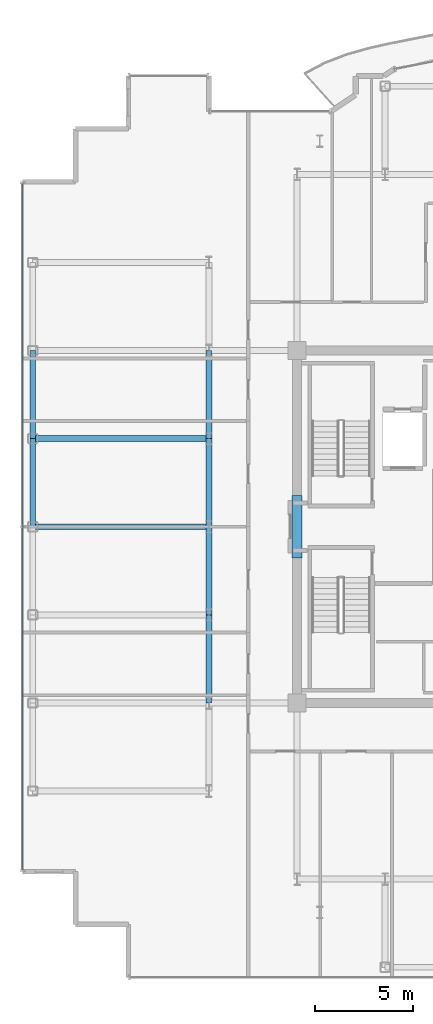
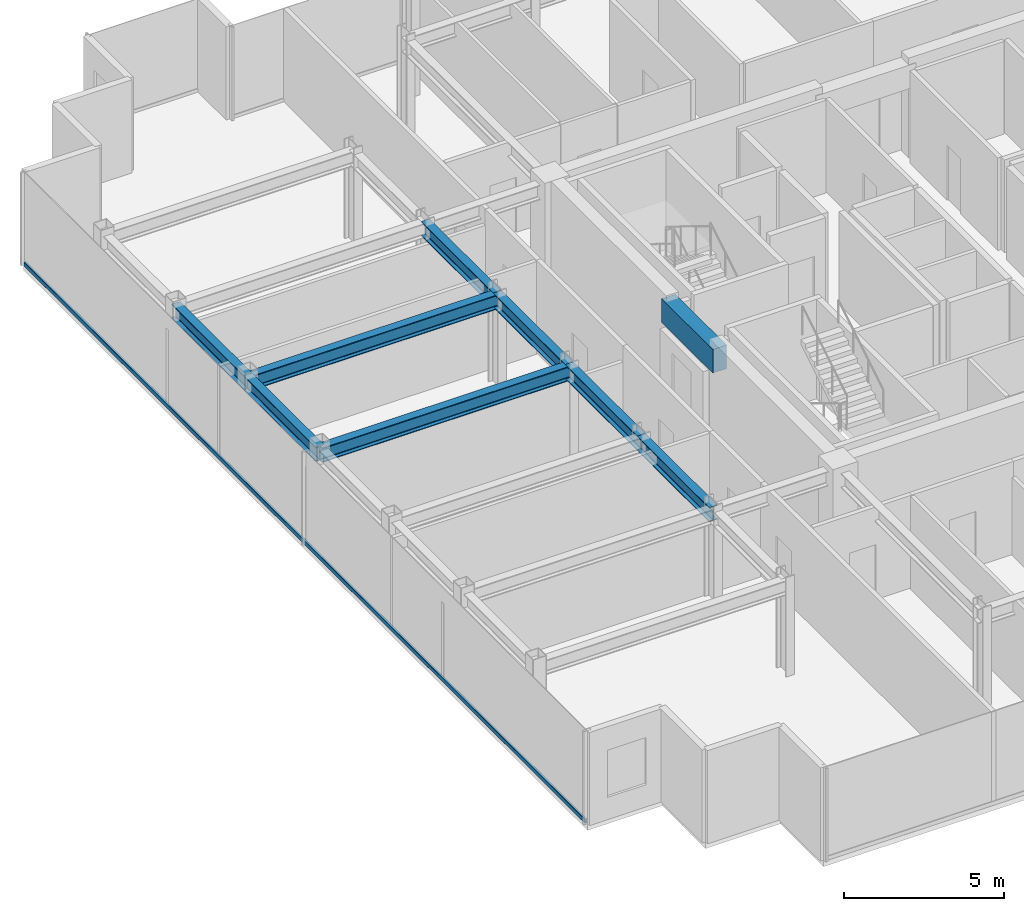
# One storey, part 5 of 18: 9 beams, 1 member, 1 element without a shape of its own.
"""IFC4 building model written with IfcOpenShell, lengths in metres."""

from ifc_helpers import new_model, si_unit, direction, frame, origin, origin_2d, place, context, subcontext, project, spatial, rectangle, hollow_rectangle, i_section, extrude, source, transform, mapped, material, layer, layer_set, material_profile, profile_set, type_object, element, aggregate, save


model = new_model("IFC4")

# Units and contexts
model_context = context("Model", 3, precision=1e-05, world=origin(), true_north=direction((0.0, 1.0)))
body_context = subcontext(model_context, "Body", "Model", "MODEL_VIEW")
ifc_project = project(units=[si_unit("LENGTHUNIT", "METRE"), si_unit("AREAUNIT", "SQUARE_METRE"), si_unit("VOLUMEUNIT", "CUBIC_METRE"), si_unit("PLANEANGLEUNIT", "RADIAN"), si_unit("MASSUNIT", "GRAM", prefix="KILO")], contexts=[model_context])

# Site, building, storey
site_placement = place(None, origin())
site = spatial("IfcSite", under=ifc_project, at=site_placement, CompositionType="ELEMENT")
building_placement = place(site_placement, origin())
building = spatial("IfcBuilding", under=site, at=building_placement, Name="Nefas-Gora Pilgrimage Tower", CompositionType="ELEMENT")
storey_placement = place(building_placement, frame((0.0, 0.0, 302.60009765625)))
storey = spatial("IfcBuildingStorey", under=building, at=storey_placement, Name="L76", CompositionType="ELEMENT", Elevation=302.60009765625)

# Beams
ifc_material_1 = material(Name="Concrete C50/60", Category="concrete")
ifc_material_profile_1 = material_profile(ifc_material_1, rectangle(XDim=0.5, YDim=0.89990234375, at=origin_2d()), Name="RC 500x900")
ifc_profile_set_1 = profile_set([ifc_material_profile_1], Name="Concrete C50/60")
beam_type_1 = type_object("IfcBeamType", Name="BM-LIN-RC900", PredefinedType="LINTEL", material=ifc_profile_set_1)
shared_shape_1 = source(origin(), body_context, "Body", "SweptSolid", [
    extrude(rectangle(XDim=0.5, YDim=0.89990234375, at=origin_2d()), origin(), (0.0, 0.0, 1.0), 3.2001953125),
])
beam_placement = place(storey_placement, frame((-11.25, -1.60009765625, 3.099853515625), z_axis=(0.0, 1.0, 0.0), x_axis=(-1.0, 0.0, 0.0)))
element("IfcBeam", 1, at=beam_placement, inside=storey, type_object=beam_type_1, Name="L76 Core Coupling Lintel Beam W", PredefinedType="LINTEL", context=body_context, shape_type="MappedRepresentation", body=[
    mapped(shared_shape_1, transform((0.0, 0.0, 0.0), x_axis=(1.0, 0.0, 0.0), y_axis=(0.0, 1.0, 0.0), z_axis=(0.0, 0.0, 1.0), scale=1.0)),
])
ifc_material_2 = material(Name="Steel S355", Category="steel")
ifc_material_profile_2 = material_profile(ifc_material_2, i_section(OverallWidth=0.300048828125, OverallDepth=0.550048828125, WebThickness=0.014892578125, FlangeThickness=0.029052734375, FilletRadius=0.027099609375, at=origin_2d()), Name="HEB 550")
ifc_profile_set_2 = profile_set([ifc_material_profile_2], Name="Steel S355")
beam_type_2 = type_object("IfcBeamType", Name="BM-SPN-HEB400", PredefinedType="SPANDREL", material=ifc_profile_set_2)
shared_shape_2 = source(origin(), body_context, "Body", "SweptSolid", [
    extrude(i_section(OverallWidth=0.300048828125, OverallDepth=0.550048828125, WebThickness=0.014892578125, FlangeThickness=0.029052734375, FilletRadius=0.027099609375, at=origin_2d()), origin(), (0.0, 0.0, 1.0), 4.5),
])
for number, where, z_axis, x_axis, name in (
    (2, (-24.75, 0.0, 3.27490234375), (0.0, 1.0, 0.0), (-1.0, 0.0, 0.0), "L76 SP-04 beam"),
    (3, (-24.75, 4.5, 3.27490234375), (0.0, 1.0, 0.0), (-1.0, 0.0, 0.0), "L76 SP-04 beam"),
):
    element("IfcBeam", number, at=place(storey_placement, frame(where, z_axis=z_axis, x_axis=x_axis)), inside=storey, type_object=beam_type_2, Name=name, PredefinedType="SPANDREL", context=body_context, shape_type="MappedRepresentation", body=[
        mapped(shared_shape_2, transform((0.0, 0.0, 0.0), x_axis=(1.0, 0.0, 0.0), y_axis=(0.0, 1.0, 0.0), z_axis=(0.0, 0.0, 1.0), scale=1.0)),
    ])
ifc_material_profile_3 = material_profile(ifc_material_2, i_section(OverallWidth=0.300048828125, OverallDepth=0.550048828125, WebThickness=0.014892578125, FlangeThickness=0.029052734375, FilletRadius=0.027099609375, at=origin_2d()), Name="HEB 550")
ifc_profile_set_3 = profile_set([ifc_material_profile_3], Name="Steel S355")
beam_type_3 = type_object("IfcBeamType", Name="BM-GIR-HEB550", PredefinedType="BEAM", material=ifc_profile_set_3)
shared_shape_3 = source(origin(), body_context, "Body", "SweptSolid", [
    extrude(i_section(OverallWidth=0.300048828125, OverallDepth=0.550048828125, WebThickness=0.014892578125, FlangeThickness=0.029052734375, FilletRadius=0.027099609375, at=origin_2d()), origin(), (0.0, 0.0, 1.0), 9.0),
])
for number, where, z_axis, x_axis, name in (
    (4, (-24.75, 0.0, 3.27490234375), (1.0, 0.0, 0.0), (0.0, 1.0, 0.0), "L76 G-05 beam"),
    (5, (-24.75, 4.5, 3.27490234375), (1.0, 0.0, 0.0), (0.0, 1.0, 0.0), "L76 G-05 beam"),
):
    element("IfcBeam", number, at=place(storey_placement, frame(where, z_axis=z_axis, x_axis=x_axis)), inside=storey, type_object=beam_type_3, Name=name, PredefinedType="BEAM", context=body_context, shape_type="MappedRepresentation", body=[
        mapped(shared_shape_3, transform((0.0, 0.0, 0.0), x_axis=(1.0, 0.0, 0.0), y_axis=(0.0, 1.0, 0.0), z_axis=(0.0, 0.0, 1.0), scale=1.0)),
    ])
shared_shape_4 = source(origin(), body_context, "Body", "SweptSolid", [
    extrude(i_section(OverallWidth=0.300048828125, OverallDepth=0.550048828125, WebThickness=0.014892578125, FlangeThickness=0.029052734375, FilletRadius=0.027099609375, at=origin_2d()), origin(), (0.0, 0.0, 1.0), 4.5),
])
for number, where, z_axis, x_axis, name in (
    (6, (-15.75, -9.0, 3.27490234375), (0.0, 1.0, 0.0), (-1.0, 0.0, 0.0), "L76 G-05 beam"),
    (7, (-15.75, -4.5, 3.27490234375), (0.0, 1.0, 0.0), (-1.0, 0.0, 0.0), "L76 G-05 beam"),
    (8, (-15.75, 0.0, 3.27490234375), (0.0, 1.0, 0.0), (-1.0, 0.0, 0.0), "L76 G-05 beam"),
    (9, (-15.75, 4.5, 3.27490234375), (0.0, 1.0, 0.0), (-1.0, 0.0, 0.0), "L76 G-05 beam"),
):
    element("IfcBeam", number, at=place(storey_placement, frame(where, z_axis=z_axis, x_axis=x_axis)), inside=storey, type_object=beam_type_3, Name=name, PredefinedType="BEAM", context=body_context, shape_type="MappedRepresentation", body=[
        mapped(shared_shape_4, transform((0.0, 0.0, 0.0), x_axis=(1.0, 0.0, 0.0), y_axis=(0.0, 1.0, 0.0), z_axis=(0.0, 0.0, 1.0), scale=1.0)),
    ])

# Curtain wall, member
ifc_material_3 = material(Name="Dark ceramic-fritted solar-control aluminium-glass curtain wall", Category="aluminium")
ifc_layer = layer(ifc_material_3, 0.219970703125)
ifc_layer_set = layer_set([ifc_layer], Name="Dark ceramic-fritted solar-control aluminium-glass curtain wall")
curtain_wall_type = type_object("IfcCurtainWallType", Name="CW-SYS-4", PredefinedType="NOTDEFINED", material=ifc_layer_set)
curtain_wall_placement = place(storey_placement, origin())
curtain_wall = element("IfcCurtainWall", 10, at=curtain_wall_placement, inside=storey, type_object=curtain_wall_type, Name="L76 Unitised Curtain Wall CW4", PredefinedType="NOTDEFINED")
ifc_material_4 = material(Name="Anodised architectural aluminium", Category="aluminium")
ifc_material_profile_4 = material_profile(ifc_material_4, hollow_rectangle(XDim=0.080078125, YDim=0.159912109375, WallThickness=0.00439453125, InnerFilletRadius=0.00439453125, OuterFilletRadius=0.009033203125, at=origin_2d()), Name="ALU TRANSOM 80x160")
ifc_profile_set_4 = profile_set([ifc_material_profile_4], Name="Anodised architectural aluminium")
member_type = type_object("IfcMemberType", Name="CWM-TRN-4", PredefinedType="USERDEFINED", material=ifc_profile_set_4)
shared_shape_5 = source(origin(), body_context, "Body", "SweptSolid", [
    extrude(hollow_rectangle(XDim=0.080078125, YDim=0.159912109375, WallThickness=0.00439453125, InnerFilletRadius=0.00439453125, OuterFilletRadius=0.009033203125, at=origin_2d()), origin(), (0.0, 0.0, 1.0), 35.06005859375),
])
member_placement = place(storey_placement, frame((-25.27001953125, 17.530029296875, 0.0498046875), z_axis=(0.0, -1.0, 0.0), x_axis=(1.0, 0.0, 0.0)))
member = element("IfcMember", 11, at=member_placement, type_object=member_type, Name="CW4 Spandrel Transom", ObjectType="TRANSOM", PredefinedType="USERDEFINED", context=body_context, shape_type="MappedRepresentation", body=[
    mapped(shared_shape_5, transform((0.0, 0.0, 0.0), x_axis=(1.0, 0.0, 0.0), y_axis=(0.0, 1.0, 0.0), z_axis=(0.0, 0.0, 1.0), scale=1.0)),
])
aggregate(curtain_wall, [member])

save(model, "model.ifc")
